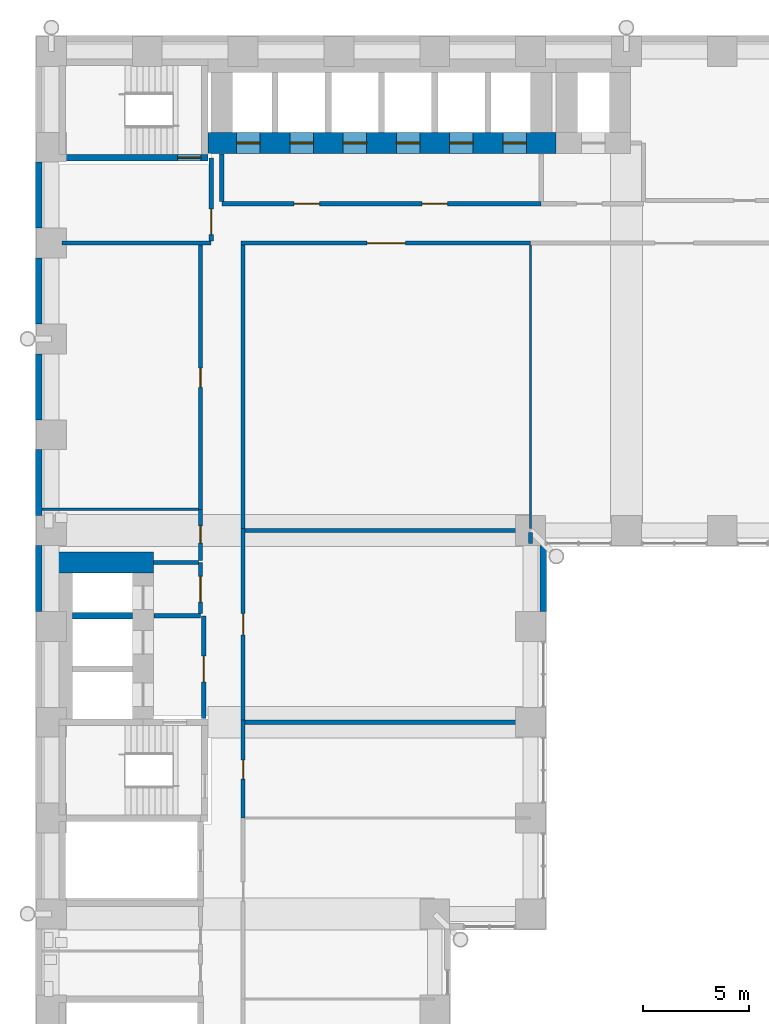
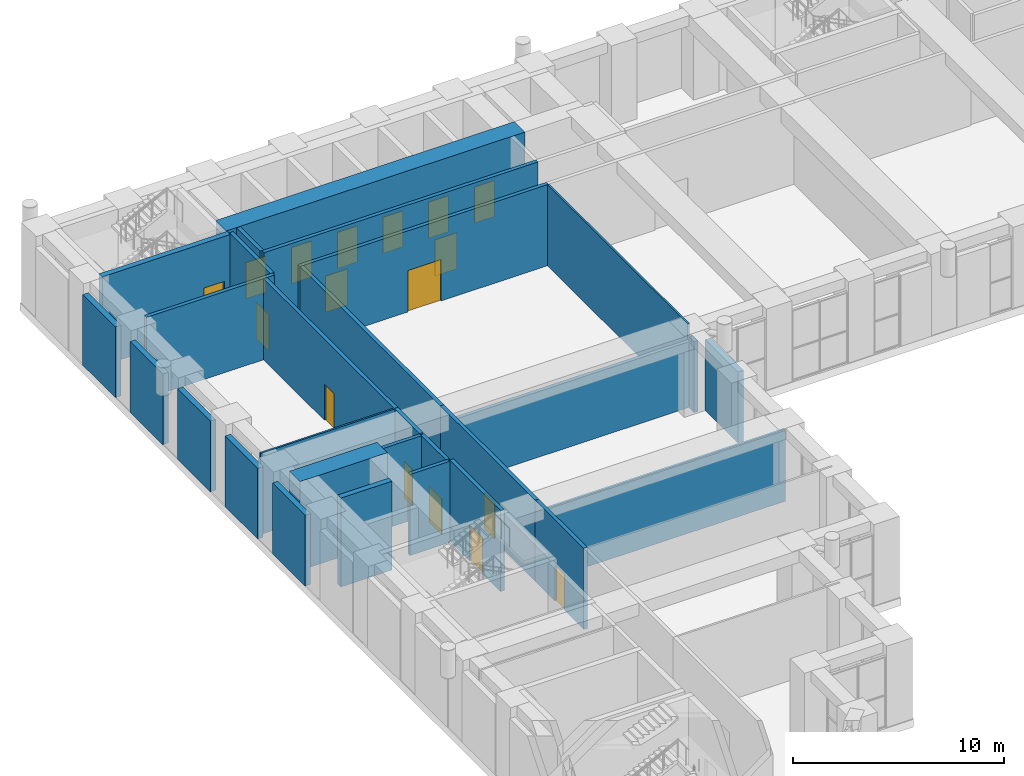
# One storey, part 19 of 35: 29 walls, 17 doors, 17 openings.
"""IFC4 building model written with IfcOpenShell, lengths in metres."""

import ifcopenshell
import ifcopenshell.guid

model = None  # the IFC model being written
_history = None  # IfcOwnerHistory: only IFC2X3 demands one
_inside = {}  # id of a spatial element -> (the spatial element, [elements in it])
_under = {}  # id of a project, library or spatial element -> (it, [spatial elements below it])
_declared = {}  # id of a project -> (the project, [libraries it declares])
_typed = {}  # id of a type object -> (the type object, [elements of that type])
_made_of = {}  # id of a material, layer set ... -> (it, [elements and type objects made of it])


def new_model(schema):
    """Start an empty IFC model of exactly this schema.

    Asked for "IFC4X3", IfcOpenShell would pick the latest addendum, in which some entities
    have other attributes; the version numbers below select the first issue.
    IFC2X3 requires an IfcOwnerHistory on every rooted entity: one is made here for all.
    """
    global model, _history
    if schema == "IFC4X3":
        model = ifcopenshell.file(schema_version=(4, 3, 0, 0))
    else:
        model = ifcopenshell.file(schema=schema)
    _inside.clear()
    _under.clear()
    _declared.clear()
    _typed.clear()
    _made_of.clear()
    _history = None
    if model.schema == "IFC2X3":
        org = make("IfcOrganization", Name="unknown")
        user = make(
            "IfcPersonAndOrganization",
            ThePerson=make("IfcPerson", FamilyName="unknown"),
            TheOrganization=org,
        )
        app = make(
            "IfcApplication",
            ApplicationDeveloper=org,
            Version="unknown",
            ApplicationFullName="unknown",
            ApplicationIdentifier="unknown",
        )
        _history = make(
            "IfcOwnerHistory",
            OwningUser=user,
            OwningApplication=app,
            ChangeAction="ADDED",
            CreationDate=0,
        )
    return model


def make(cls, **values):
    """One entity of the class cls with the attributes given. An attribute that is None is left unset."""
    return model.create_entity(
        cls, **{name: value for name, value in values.items() if value is not None}
    )


def rooted(cls, **values):
    """An entity with a GlobalId (a new one), such as an element, a storey or a relation."""
    return make(cls, GlobalId=ifcopenshell.guid.new(), OwnerHistory=_history, **values)


def si_unit(unit_type, name, prefix=None):
    """IfcSIUnit, for example si_unit("LENGTHUNIT", "METRE", prefix="MILLI")."""
    return make("IfcSIUnit", UnitType=unit_type, Prefix=prefix, Name=name)


def assignment(units):
    """IfcUnitAssignment: the units of a project."""
    return None if units is None else make("IfcUnitAssignment", Units=units)


def point(xyz):
    """IfcCartesianPoint."""
    return None if xyz is None else make("IfcCartesianPoint", Coordinates=xyz)


def direction(xyz):
    """IfcDirection."""
    return None if xyz is None else make("IfcDirection", DirectionRatios=xyz)


def frame(location, z_axis=None, x_axis=None):
    """IfcAxis2Placement3D, a coordinate frame: its origin and axes. An axis left out is left unset."""
    return make(
        "IfcAxis2Placement3D",
        Location=point(location),
        Axis=direction(z_axis),
        RefDirection=direction(x_axis),
    )


def frame_2d(location, x_axis=None):
    """IfcAxis2Placement2D, a coordinate frame in the plane: its origin and x axis."""
    return make(
        "IfcAxis2Placement2D", Location=point(location), RefDirection=direction(x_axis)
    )


def origin():
    """The frame at (0, 0, 0) with its axes left unset."""
    return frame((0.0, 0.0, 0.0))


def place(relative_to, where):
    """IfcLocalPlacement: puts the frame where relative to a parent placement (None: the world)."""
    return make(
        "IfcLocalPlacement", PlacementRelTo=relative_to, RelativePlacement=where
    )


def context(
    kind, dimensions, precision=None, world=None, true_north=None, identifier=None
):
    """IfcGeometricRepresentationContext, for example the 3D "Model" context."""
    return make(
        "IfcGeometricRepresentationContext",
        ContextIdentifier=identifier,
        ContextType=kind,
        CoordinateSpaceDimension=dimensions,
        Precision=precision,
        WorldCoordinateSystem=world,
        TrueNorth=true_north,
    )


def subcontext(parent, identifier, kind, view, scale=None):
    """IfcGeometricRepresentationSubContext, for example "Body" below "Model"."""
    return make(
        "IfcGeometricRepresentationSubContext",
        ContextIdentifier=identifier,
        ContextType=kind,
        ParentContext=parent,
        TargetScale=scale,
        TargetView=view,
    )


def project(units=None, contexts=None):
    """IfcProject with its units and contexts."""
    return rooted(
        "IfcProject",
        Name="project",
        RepresentationContexts=contexts,
        UnitsInContext=assignment(units),
    )


def spatial(cls, under=None, at=None, **own):
    """A site, building, storey or space (cls), placed at a placement, below another one or the project."""
    s = rooted(cls, ObjectPlacement=at, **own)
    if under is not None:
        _under.setdefault(under.id(), (under, []))[1].append(s)
    return s


def profile(cls, at=None, kind="AREA", **sizes):
    """A parametric profile (cls). Its sizes go by their IFC names, for example OverallWidth=200.0."""
    return make(cls, ProfileType=kind, Position=at, **sizes)


def rectangle(**sizes):
    """IfcRectangleProfileDef."""
    return profile("IfcRectangleProfileDef", **sizes)


def extrude(swept, where, along, depth):
    """IfcExtrudedAreaSolid: the profile swept, set in the frame where, extruded along a direction by depth."""
    return make(
        "IfcExtrudedAreaSolid",
        SweptArea=swept,
        Position=where,
        ExtrudedDirection=direction(along),
        Depth=depth,
    )


def shape(context_of_items, identifier, shape_type, items):
    """IfcShapeRepresentation: the items that make up one representation, for example the "Body"."""
    return make(
        "IfcShapeRepresentation",
        ContextOfItems=context_of_items,
        RepresentationIdentifier=identifier,
        RepresentationType=shape_type,
        Items=items,
    )


def material(Name=None, Category=None):
    """IfcMaterial."""
    return make("IfcMaterial", Name=Name, Category=Category)


def layer(
    of_material, thickness, ventilated=None, Name=None, Category=None, Priority=None
):
    """IfcMaterialLayer: one layer of a wall or slab, of a material (None: an air gap)."""
    return make(
        "IfcMaterialLayer",
        Material=of_material,
        LayerThickness=thickness,
        IsVentilated=ventilated,
        Name=Name,
        Category=Category,
        Priority=Priority,
    )


def layer_set(layers, Name=None):
    """IfcMaterialLayerSet."""
    return make("IfcMaterialLayerSet", MaterialLayers=layers, LayerSetName=Name)


def made_of(thing, what):
    """Note that an element or type object is made of a material, layer set ...; save() writes the relation."""
    if what is not None:
        _made_of.setdefault(what.id(), (what, []))[1].append(thing)
    return thing


def type_object(cls, material=None, **own):
    """A type object (cls), such as IfcWallType, which elements share."""
    return made_of(rooted(cls, **own), material)


def element(
    cls,
    number,
    at=None,
    inside=None,
    cuts=None,
    type_object=None,
    material=None,
    context=None,
    identifier="Body",
    shape_type=None,
    held_by="IfcProductDefinitionShape",
    body=None,
    shapes=None,
    **own,
):
    """One element of the class cls, such as IfcWall. Its Tag is "e" and its number.

    at: its placement. inside: the storey or other place that contains it. cuts: it is an
    opening in that element (IfcRelVoidsElement). A single representation is given by context,
    identifier, shape_type and body (its items); several are given by shapes. held_by: the class
    of the entity that holds the representations. save() writes the other relations.
    """
    e = rooted(cls, Tag="e%d" % number, ObjectPlacement=at, **own)
    if body is not None:
        shapes = [shape(context, identifier, shape_type, body)]
    if shapes is not None:
        e.Representation = make(held_by, Representations=shapes)
    if inside is not None:
        _inside.setdefault(inside.id(), (inside, []))[1].append(e)
    if cuts is not None:
        rooted(
            "IfcRelVoidsElement", RelatingBuildingElement=cuts, RelatedOpeningElement=e
        )
    if type_object is not None:
        _typed.setdefault(type_object.id(), (type_object, []))[1].append(e)
    return made_of(e, material)


def fill(opening, filler):
    """IfcRelFillsElement: the door or window that sits in an opening."""
    return rooted(
        "IfcRelFillsElement",
        RelatingOpeningElement=opening,
        RelatedBuildingElement=filler,
    )


def aggregate(whole, parts):
    """IfcRelAggregates: a whole, such as a stair, and the parts it consists of."""
    return rooted("IfcRelAggregates", RelatingObject=whole, RelatedObjects=parts)


def save(model, path):
    """Write the relations noted so far, then the file.

    IfcRelAggregates (storeys below a building ...), IfcRelContainedInSpatialStructure (elements
    in a storey), IfcRelDefinesByType, IfcRelAssociatesMaterial and IfcRelDeclares: one each for
    every whole, place, type object, material and project.
    """
    for whole, parts in _under.values():
        aggregate(whole, parts)
    for where, things in _inside.values():
        rooted(
            "IfcRelContainedInSpatialStructure",
            RelatedElements=things,
            RelatingStructure=where,
        )
    for kind, things in _typed.values():
        rooted("IfcRelDefinesByType", RelatedObjects=things, RelatingType=kind)
    for what, things in _made_of.values():
        rooted("IfcRelAssociatesMaterial", RelatedObjects=things, RelatingMaterial=what)
    for by, libraries in _declared.values():
        rooted("IfcRelDeclares", RelatingContext=by, RelatedDefinitions=libraries)
    model.write(path)


model = new_model("IFC4")

# Units and contexts
model_context = context("Model", 3, precision=1e-05, world=origin(), true_north=direction((0.0, 1.0)))
body_context = subcontext(model_context, "Body", "Model", "MODEL_VIEW")
ifc_project = project(units=[si_unit("LENGTHUNIT", "METRE"), si_unit("AREAUNIT", "SQUARE_METRE"), si_unit("VOLUMEUNIT", "CUBIC_METRE"), si_unit("PLANEANGLEUNIT", "RADIAN"), si_unit("MASSUNIT", "GRAM", prefix="KILO")], contexts=[model_context])

# Site, building, storey
site_placement = place(None, origin())
site = spatial("IfcSite", under=ifc_project, at=site_placement, CompositionType="ELEMENT")
building_placement = place(site_placement, origin())
building = spatial("IfcBuilding", under=site, at=building_placement, Name="Firuza Court", CompositionType="ELEMENT")
storey_placement = place(building_placement, frame((0.0, 0.0, 24.0)))
storey = spatial("IfcBuildingStorey", under=building, at=storey_placement, Name="L04", CompositionType="ELEMENT", Elevation=24.0)

# Wall
ifc_material_1 = material(Name="Concrete C60/75", Category="concrete")
ifc_layer_1 = layer(ifc_material_1, 1.0)
ifc_layer_set_1 = layer_set([ifc_layer_1], Name="Concrete C60/75")
wall_type_1 = type_object("IfcWallType", Name="Core wall 1000 C60/75", PredefinedType="SHEAR", material=ifc_layer_set_1)
wall_1_placement = place(storey_placement, frame((0.0, 34.5, -0.449951171875), z_axis=(0.0, 0.0, 1.0), x_axis=(1.0, 0.0, 0.0)))
element("IfcWall", 1, at=wall_1_placement, inside=storey, type_object=wall_type_1, Name="Core wall lift shaft L04", PredefinedType="SHEAR", context=body_context, shape_type="SweptSolid", body=[
    extrude(rectangle(XDim=4.800048828125, YDim=1.0, at=frame_2d((2.39990234375, 0.0))), origin(), (0.0, 0.0, 1.0), 5.14990234375),
])

# Wall, openings, doors
wall_2_placement = place(storey_placement, frame((7.35009765625, 54.199951171875, -0.449951171875), z_axis=(0.0, 0.0, 1.0), x_axis=(1.0, 0.0, 0.0)))
wall_2 = element("IfcWall", 2, at=wall_2_placement, inside=storey, type_object=wall_type_1, Name="Core wall lift shaft L04", PredefinedType="SHEAR", context=body_context, shape_type="SweptSolid", body=[
    extrude(rectangle(XDim=16.349853515625, YDim=1.0, at=frame_2d((8.1748046875, 0.0))), origin(), (0.0, 0.0, 1.0), 5.14990234375),
])
opening_1_placement = place(wall_2_placement, frame((1.35009765625, 0.0, 0.449951171875)))
opening_1 = element("IfcOpeningElement", 3, at=opening_1_placement, cuts=wall_2, Name="Opening LD-LB1-04", PredefinedType="OPENING", context=body_context, shape_type="SweptSolid", body=[
    extrude(rectangle(XDim=1.10009765625, YDim=2.10009765625, at=frame_2d((0.550048828125, 1.050048828125))), frame((0.0, 0.511962890625, 0.0), z_axis=(0.0, -1.0, 0.0), x_axis=(1.0, 0.0, 0.0)), (0.0, 0.0, 1.0), 1.02392578125),
])
opening_2_placement = place(wall_2_placement, frame((3.85009765625, 0.0, 0.449951171875)))
opening_2 = element("IfcOpeningElement", 4, at=opening_2_placement, cuts=wall_2, Name="Opening LD-LB2-04", PredefinedType="OPENING", context=body_context, shape_type="SweptSolid", body=[
    extrude(rectangle(XDim=1.10009765625, YDim=2.10009765625, at=frame_2d((0.550048828125, 1.050048828125))), frame((0.0, 0.511962890625, 0.0), z_axis=(0.0, -1.0, 0.0), x_axis=(1.0, 0.0, 0.0)), (0.0, 0.0, 1.0), 1.02392578125),
])
opening_3_placement = place(wall_2_placement, frame((6.35009765625, 0.0, 0.449951171875)))
opening_3 = element("IfcOpeningElement", 5, at=opening_3_placement, cuts=wall_2, Name="Opening LD-LB3-04", PredefinedType="OPENING", context=body_context, shape_type="SweptSolid", body=[
    extrude(rectangle(XDim=1.10009765625, YDim=2.10009765625, at=frame_2d((0.550048828125, 1.050048828125))), frame((0.0, 0.511962890625, 0.0), z_axis=(0.0, -1.0, 0.0), x_axis=(1.0, 0.0, 0.0)), (0.0, 0.0, 1.0), 1.02392578125),
])
opening_4_placement = place(wall_2_placement, frame((8.85009765625, 0.0, 0.449951171875)))
opening_4 = element("IfcOpeningElement", 6, at=opening_4_placement, cuts=wall_2, Name="Opening LD-LB4-04", PredefinedType="OPENING", context=body_context, shape_type="SweptSolid", body=[
    extrude(rectangle(XDim=1.10009765625, YDim=2.10009765625, at=frame_2d((0.550048828125, 1.050048828125))), frame((0.0, 0.511962890625, 0.0), z_axis=(0.0, -1.0, 0.0), x_axis=(1.0, 0.0, 0.0)), (0.0, 0.0, 1.0), 1.02392578125),
])
opening_5_placement = place(wall_2_placement, frame((11.35009765625, 0.0, 0.449951171875)))
opening_5 = element("IfcOpeningElement", 7, at=opening_5_placement, cuts=wall_2, Name="Opening LD-LB5-04", PredefinedType="OPENING", context=body_context, shape_type="SweptSolid", body=[
    extrude(rectangle(XDim=1.10009765625, YDim=2.10009765625, at=frame_2d((0.550048828125, 1.050048828125))), frame((0.0, 0.511962890625, 0.0), z_axis=(0.0, -1.0, 0.0), x_axis=(1.0, 0.0, 0.0)), (0.0, 0.0, 1.0), 1.02392578125),
])
opening_6_placement = place(wall_2_placement, frame((13.85009765625, 0.0, 0.449951171875)))
opening_6 = element("IfcOpeningElement", 8, at=opening_6_placement, cuts=wall_2, Name="Opening LD-LB6-04", PredefinedType="OPENING", context=body_context, shape_type="SweptSolid", body=[
    extrude(rectangle(XDim=1.10009765625, YDim=2.10009765625, at=frame_2d((0.550048828125, 1.050048828125))), frame((0.0, 0.511962890625, 0.0), z_axis=(0.0, -1.0, 0.0), x_axis=(1.0, 0.0, 0.0)), (0.0, 0.0, 1.0), 1.02392578125),
])
ifc_material_2 = material(Name="Stainless steel 1.4301 door leaf", Category="steel")
door_type_1 = type_object("IfcDoorType", Name="Lift landing door 1100", OperationType="SLIDING_TO_LEFT", PredefinedType="DOOR", material=ifc_material_2)
door_1_placement = place(opening_1_placement, origin())
door_1 = element("IfcDoor", 9, at=door_1_placement, inside=storey, type_object=door_type_1, Name="Landing door LB1", OperationType="SLIDING_TO_LEFT", OverallHeight=2.10009765625, OverallWidth=1.10009765625, PredefinedType="DOOR", context=body_context, shape_type="SweptSolid", body=[
    extrude(rectangle(XDim=1.10009765625, YDim=2.10009765625, at=frame_2d((0.550048828125, 1.050048828125))), frame((0.0, 0.02490234375, 0.0), z_axis=(0.0, -1.0, 0.0), x_axis=(1.0, 0.0, 0.0)), (0.0, 0.0, 1.0), 0.050048828125),
])
fill(opening_1, door_1)
door_2_placement = place(opening_2_placement, origin())
door_2 = element("IfcDoor", 10, at=door_2_placement, inside=storey, type_object=door_type_1, Name="Landing door LB2", OperationType="SLIDING_TO_LEFT", OverallHeight=2.10009765625, OverallWidth=1.10009765625, PredefinedType="DOOR", context=body_context, shape_type="SweptSolid", body=[
    extrude(rectangle(XDim=1.10009765625, YDim=2.10009765625, at=frame_2d((0.550048828125, 1.050048828125))), frame((0.0, 0.02490234375, 0.0), z_axis=(0.0, -1.0, 0.0), x_axis=(1.0, 0.0, 0.0)), (0.0, 0.0, 1.0), 0.050048828125),
])
fill(opening_2, door_2)
door_3_placement = place(opening_3_placement, origin())
door_3 = element("IfcDoor", 11, at=door_3_placement, inside=storey, type_object=door_type_1, Name="Landing door LB3", OperationType="SLIDING_TO_LEFT", OverallHeight=2.10009765625, OverallWidth=1.10009765625, PredefinedType="DOOR", context=body_context, shape_type="SweptSolid", body=[
    extrude(rectangle(XDim=1.10009765625, YDim=2.10009765625, at=frame_2d((0.550048828125, 1.050048828125))), frame((0.0, 0.02490234375, 0.0), z_axis=(0.0, -1.0, 0.0), x_axis=(1.0, 0.0, 0.0)), (0.0, 0.0, 1.0), 0.050048828125),
])
fill(opening_3, door_3)
door_4_placement = place(opening_4_placement, origin())
door_4 = element("IfcDoor", 12, at=door_4_placement, inside=storey, type_object=door_type_1, Name="Landing door LB4", OperationType="SLIDING_TO_LEFT", OverallHeight=2.10009765625, OverallWidth=1.10009765625, PredefinedType="DOOR", context=body_context, shape_type="SweptSolid", body=[
    extrude(rectangle(XDim=1.10009765625, YDim=2.10009765625, at=frame_2d((0.550048828125, 1.050048828125))), frame((0.0, 0.02490234375, 0.0), z_axis=(0.0, -1.0, 0.0), x_axis=(1.0, 0.0, 0.0)), (0.0, 0.0, 1.0), 0.050048828125),
])
fill(opening_4, door_4)
door_5_placement = place(opening_5_placement, origin())
door_5 = element("IfcDoor", 13, at=door_5_placement, inside=storey, type_object=door_type_1, Name="Landing door LB5", OperationType="SLIDING_TO_LEFT", OverallHeight=2.10009765625, OverallWidth=1.10009765625, PredefinedType="DOOR", context=body_context, shape_type="SweptSolid", body=[
    extrude(rectangle(XDim=1.10009765625, YDim=2.10009765625, at=frame_2d((0.550048828125, 1.050048828125))), frame((0.0, 0.02490234375, 0.0), z_axis=(0.0, -1.0, 0.0), x_axis=(1.0, 0.0, 0.0)), (0.0, 0.0, 1.0), 0.050048828125),
])
fill(opening_5, door_5)
door_6_placement = place(opening_6_placement, origin())
door_6 = element("IfcDoor", 14, at=door_6_placement, inside=storey, type_object=door_type_1, Name="Landing door LB6", OperationType="SLIDING_TO_LEFT", OverallHeight=2.10009765625, OverallWidth=1.10009765625, PredefinedType="DOOR", context=body_context, shape_type="SweptSolid", body=[
    extrude(rectangle(XDim=1.10009765625, YDim=2.10009765625, at=frame_2d((0.550048828125, 1.050048828125))), frame((0.0, 0.02490234375, 0.0), z_axis=(0.0, -1.0, 0.0), x_axis=(1.0, 0.0, 0.0)), (0.0, 0.0, 1.0), 0.050048828125),
])
fill(opening_6, door_6)

# Wall, opening, door
ifc_layer_2 = layer(ifc_material_1, 0.300048828125)
ifc_layer_set_2 = layer_set([ifc_layer_2], Name="Concrete C60/75")
wall_type_2 = type_object("IfcWallType", Name="Core wall 300 C60/75", PredefinedType="SHEAR", material=ifc_layer_set_2)
wall_3_placement = place(storey_placement, frame((0.35009765625, 53.5, -0.449951171875), z_axis=(0.0, 0.0, 1.0), x_axis=(1.0, 0.0, 0.0)))
wall_3 = element("IfcWall", 15, at=wall_3_placement, inside=storey, type_object=wall_type_2, Name="Core wall stair L04", PredefinedType="SHEAR", context=body_context, shape_type="SweptSolid", body=[
    extrude(rectangle(XDim=7.0, YDim=0.300048828125, at=frame_2d((3.5, 0.0))), origin(), (0.0, 0.0, 1.0), 5.14990234375),
])
opening_7_placement = place(wall_3_placement, frame((5.580078125, 0.0, 0.449951171875)))
opening_7 = element("IfcOpeningElement", 16, at=opening_7_placement, cuts=wall_3, Name="Opening D04016", PredefinedType="OPENING", context=body_context, shape_type="SweptSolid", body=[
    extrude(rectangle(XDim=1.10009765625, YDim=2.10009765625, at=frame_2d((0.550048828125, 1.050048828125))), frame((0.0, 0.162109375, 0.0), z_axis=(0.0, -1.0, 0.0), x_axis=(1.0, 0.0, 0.0)), (0.0, 0.0, 1.0), 0.323974609375),
])
ifc_material_3 = material(Name="Timber door leaf in hardwood frame", Category="wood")
door_type_2 = type_object("IfcDoorType", Name="Stair door 1100", OperationType="SINGLE_SWING_LEFT", PredefinedType="DOOR", material=ifc_material_3)
door_7_placement = place(opening_7_placement, origin())
door_7 = element("IfcDoor", 17, at=door_7_placement, inside=storey, type_object=door_type_2, Name="Stair door S3", OperationType="SINGLE_SWING_RIGHT", OverallHeight=2.10009765625, OverallWidth=1.10009765625, PredefinedType="DOOR", context=body_context, shape_type="SweptSolid", body=[
    extrude(rectangle(XDim=1.10009765625, YDim=2.10009765625, at=frame_2d((0.550048828125, 1.050048828125))), frame((0.0, 0.02490234375, 0.0), z_axis=(0.0, -1.0, 0.0), x_axis=(1.0, 0.0, 0.0)), (0.0, 0.0, 1.0), 0.050048828125),
])
fill(opening_7, door_7)

# Wall
wall_4_placement = place(storey_placement, frame((1.0, 32.0, -0.449951171875), z_axis=(0.0, 0.0, 1.0), x_axis=(1.0, 0.0, 0.0)))
element("IfcWall", 18, at=wall_4_placement, inside=storey, type_object=wall_type_2, Name="Core wall lift shaft L04", PredefinedType="SHEAR", context=body_context, shape_type="SweptSolid", body=[
    extrude(rectangle(XDim=2.800048828125, YDim=0.300048828125, at=frame_2d((1.39990234375, 0.0))), origin(), (0.0, 0.0, 1.0), 5.14990234375),
])

# Wall, opening, door
ifc_material_4 = material(Name="Blockwork, plastered both sides", Category="masonry")
ifc_layer_3 = layer(ifc_material_4, 0.199951171875)
ifc_layer_set_3 = layer_set([ifc_layer_3], Name="Blockwork, plastered both sides")
wall_type_3 = type_object("IfcWallType", Name="Corridor wall 200", PredefinedType="PARTITIONING", material=ifc_layer_set_3)
wall_5_placement = place(storey_placement, frame((9.0, 22.5, 0.0), z_axis=(0.0, 0.0, 1.0), x_axis=(0.0, 1.0, 0.0)))
wall_5 = element("IfcWall", 19, at=wall_5_placement, inside=storey, type_object=wall_type_3, Name="Corridor wall 200 L04", PredefinedType="PARTITIONING", context=body_context, shape_type="SweptSolid", body=[
    extrude(rectangle(XDim=4.60009765625, YDim=0.199951171875, at=frame_2d((2.300048828125, 0.0))), origin(), (0.0, 0.0, 1.0), 4.699951171875),
])
opening_8_placement = place(wall_5_placement, frame((1.824951171875, 0.0, 0.0)))
opening_8 = element("IfcOpeningElement", 20, at=opening_8_placement, cuts=wall_5, Name="Opening D04024", PredefinedType="OPENING", context=body_context, shape_type="SweptSolid", body=[
    extrude(rectangle(XDim=0.89990234375, YDim=2.10009765625, at=frame_2d((0.449951171875, 1.050048828125))), frame((0.0, 0.11181640625, 0.0), z_axis=(0.0, -1.0, 0.0), x_axis=(1.0, 0.0, 0.0)), (0.0, 0.0, 1.0), 0.223876953125),
])
ifc_material_5 = material(Name="Timber door leaf in hardwood frame", Category="wood")
door_type_3 = type_object("IfcDoorType", Name="Room door 900 EI 30", OperationType="SINGLE_SWING_LEFT", PredefinedType="DOOR", material=ifc_material_5)
door_8_placement = place(opening_8_placement, frame((0.89990234375, 0.0, 0.0), z_axis=(0.0, 0.0, 1.0), x_axis=(-1.0, 0.0, 0.0)))
door_8 = element("IfcDoor", 21, at=door_8_placement, inside=storey, type_object=door_type_3, Name="Room door", OperationType="SINGLE_SWING_LEFT", OverallHeight=2.10009765625, OverallWidth=0.89990234375, PredefinedType="DOOR", context=body_context, shape_type="SweptSolid", body=[
    extrude(rectangle(XDim=0.89990234375, YDim=2.10009765625, at=frame_2d((0.449951171875, 1.050048828125))), frame((0.0, 0.02490234375, 0.0), z_axis=(0.0, -1.0, 0.0), x_axis=(1.0, 0.0, 0.0)), (0.0, 0.0, 1.0), 0.050048828125),
])
fill(opening_8, door_8)

# Wall
wall_6_placement = place(storey_placement, frame((9.0, 36.10009765625, 0.0), z_axis=(0.0, 0.0, 1.0), x_axis=(0.0, 1.0, 0.0)))
element("IfcWall", 22, at=wall_6_placement, inside=storey, type_object=wall_type_3, Name="Corridor wall 200 L04", PredefinedType="PARTITIONING", context=body_context, shape_type="SweptSolid", body=[
    extrude(rectangle(XDim=13.2998046875, YDim=0.199951171875, at=frame_2d((6.64990234375, 0.0))), origin(), (0.0, 0.0, 1.0), 4.699951171875),
])

# Wall, opening, door
wall_7_placement = place(storey_placement, frame((7.0, 37.0, 0.0), z_axis=(0.0, 0.0, 1.0), x_axis=(0.0, -1.0, 0.0)))
wall_7 = element("IfcWall", 23, at=wall_7_placement, inside=storey, type_object=wall_type_3, Name="Corridor wall 200 L04", PredefinedType="PARTITIONING", context=body_context, shape_type="SweptSolid", body=[
    extrude(rectangle(XDim=2.39990234375, YDim=0.199951171875, at=frame_2d((1.199951171875, 0.0))), origin(), (0.0, 0.0, 1.0), 4.699951171875),
])
opening_9_placement = place(wall_7_placement, frame((0.77490234375, 0.0, 0.0)))
opening_9 = element("IfcOpeningElement", 24, at=opening_9_placement, cuts=wall_7, Name="Opening D04026", PredefinedType="OPENING", context=body_context, shape_type="SweptSolid", body=[
    extrude(rectangle(XDim=0.800048828125, YDim=2.10009765625, at=frame_2d((0.39990234375, 1.050048828125))), frame((0.0, 0.11181640625, 0.0), z_axis=(0.0, -1.0, 0.0), x_axis=(1.0, 0.0, 0.0)), (0.0, 0.0, 1.0), 0.223876953125),
])
ifc_material_6 = material(Name="Timber door leaf in hardwood frame", Category="wood")
door_type_4 = type_object("IfcDoorType", Name="Room door 800 EI 30", OperationType="SINGLE_SWING_LEFT", PredefinedType="DOOR", material=ifc_material_6)
door_9_placement = place(opening_9_placement, frame((0.800048828125, 0.0, 0.0), z_axis=(0.0, 0.0, 1.0), x_axis=(-1.0, 0.0, 0.0)))
door_9 = element("IfcDoor", 25, at=door_9_placement, inside=storey, type_object=door_type_4, Name="Room door", OperationType="SINGLE_SWING_RIGHT", OverallHeight=2.10009765625, OverallWidth=0.800048828125, PredefinedType="DOOR", context=body_context, shape_type="SweptSolid", body=[
    extrude(rectangle(XDim=0.800048828125, YDim=2.10009765625, at=frame_2d((0.39990234375, 1.050048828125))), frame((0.0, 0.02490234375, 0.0), z_axis=(0.0, -1.0, 0.0), x_axis=(1.0, 0.0, 0.0)), (0.0, 0.0, 1.0), 0.050048828125),
])
fill(opening_9, door_9)

wall_8_placement = place(storey_placement, frame((7.0, 49.39990234375, 0.0), z_axis=(0.0, 0.0, 1.0), x_axis=(0.0, -1.0, 0.0)))
wall_8 = element("IfcWall", 26, at=wall_8_placement, inside=storey, type_object=wall_type_3, Name="Corridor wall 200 L04", PredefinedType="PARTITIONING", context=body_context, shape_type="SweptSolid", body=[
    extrude(rectangle(XDim=12.39990234375, YDim=0.199951171875, at=frame_2d((6.199951171875, 0.0))), origin(), (0.0, 0.0, 1.0), 4.699951171875),
])
opening_10_placement = place(wall_8_placement, frame((5.77490234375, 0.0, 0.0)))
opening_10 = element("IfcOpeningElement", 27, at=opening_10_placement, cuts=wall_8, Name="Opening D04027", PredefinedType="OPENING", context=body_context, shape_type="SweptSolid", body=[
    extrude(rectangle(XDim=0.89990234375, YDim=2.10009765625, at=frame_2d((0.449951171875, 1.050048828125))), frame((0.0, 0.11181640625, 0.0), z_axis=(0.0, -1.0, 0.0), x_axis=(1.0, 0.0, 0.0)), (0.0, 0.0, 1.0), 0.223876953125),
])
door_10_placement = place(opening_10_placement, frame((0.89990234375, 0.0, 0.0), z_axis=(0.0, 0.0, 1.0), x_axis=(-1.0, 0.0, 0.0)))
door_10 = element("IfcDoor", 28, at=door_10_placement, inside=storey, type_object=door_type_3, Name="Room door", OperationType="SINGLE_SWING_LEFT", OverallHeight=2.10009765625, OverallWidth=0.89990234375, PredefinedType="DOOR", context=body_context, shape_type="SweptSolid", body=[
    extrude(rectangle(XDim=0.89990234375, YDim=2.10009765625, at=frame_2d((0.449951171875, 1.050048828125))), frame((0.0, 0.02490234375, 0.0), z_axis=(0.0, -1.0, 0.0), x_axis=(1.0, 0.0, 0.0)), (0.0, 0.0, 1.0), 0.050048828125),
])
fill(opening_10, door_10)

wall_9_placement = place(storey_placement, frame((8.89990234375, 49.5, 0.0), z_axis=(0.0, 0.0, 1.0), x_axis=(1.0, 0.0, 0.0)))
wall_9 = element("IfcWall", 29, at=wall_9_placement, inside=storey, type_object=wall_type_3, Name="Corridor wall 200 L04", PredefinedType="PARTITIONING", context=body_context, shape_type="SweptSolid", body=[
    extrude(rectangle(XDim=13.60009765625, YDim=0.199951171875, at=frame_2d((6.800048828125, 0.0))), origin(), (0.0, 0.0, 1.0), 4.699951171875),
])
opening_11_placement = place(wall_9_placement, frame((5.925048828125, 0.0, 0.0)))
opening_11 = element("IfcOpeningElement", 30, at=opening_11_placement, cuts=wall_9, Name="Opening D04028", PredefinedType="OPENING", context=body_context, shape_type="SweptSolid", body=[
    extrude(rectangle(XDim=1.800048828125, YDim=2.39990234375, at=frame_2d((0.89990234375, 1.199951171875))), frame((0.0, 0.11181640625, 0.0), z_axis=(0.0, -1.0, 0.0), x_axis=(1.0, 0.0, 0.0)), (0.0, 0.0, 1.0), 0.223876953125),
])
ifc_material_7 = material(Name="Timber door leaf in hardwood frame", Category="wood")
door_type_5 = type_object("IfcDoorType", Name="Double door 1800 EI 30", OperationType="DOUBLE_DOOR_SINGLE_SWING", PredefinedType="DOOR", material=ifc_material_7)
door_11_placement = place(opening_11_placement, origin())
door_11 = element("IfcDoor", 31, at=door_11_placement, inside=storey, type_object=door_type_5, Name="Double door", OperationType="DOUBLE_DOOR_SINGLE_SWING", OverallHeight=2.39990234375, OverallWidth=1.800048828125, PredefinedType="DOOR", context=body_context, shape_type="SweptSolid", body=[
    extrude(rectangle(XDim=1.800048828125, YDim=2.39990234375, at=frame_2d((0.89990234375, 1.199951171875))), frame((0.0, 0.02490234375, 0.0), z_axis=(0.0, -1.0, 0.0), x_axis=(1.0, 0.0, 0.0)), (0.0, 0.0, 1.0), 0.050048828125),
])
fill(opening_11, door_11)

# Walls
ifc_material_8 = material(Name="Timber stud partition, plasterboard both sides", Category="wood")
ifc_layer_4 = layer(ifc_material_8, 0.10009765625)
ifc_layer_set_4 = layer_set([ifc_layer_4], Name="Timber stud partition, plasterboard both sides")
wall_type_4 = type_object("IfcWallType", Name="Partition wall 100", PredefinedType="PARTITIONING", material=ifc_layer_set_4)
wall_10_placement = place(storey_placement, frame((22.5, 36.10009765625, 0.0), z_axis=(0.0, 0.0, 1.0), x_axis=(0.0, 1.0, 0.0)))
element("IfcWall", 32, at=wall_10_placement, inside=storey, type_object=wall_type_4, Name="Partition wall 100 L04", PredefinedType="PARTITIONING", context=body_context, shape_type="SweptSolid", body=[
    extrude(rectangle(XDim=13.2998046875, YDim=0.10009765625, at=frame_2d((6.64990234375, 0.0))), origin(), (0.0, 0.0, 1.0), 4.699951171875),
])
wall_11_placement = place(storey_placement, frame((-0.449951171875, 37.0, 0.0), z_axis=(0.0, 0.0, 1.0), x_axis=(1.0, 0.0, 0.0)))
element("IfcWall", 33, at=wall_11_placement, inside=storey, type_object=wall_type_4, Name="Partition wall 100 L04", PredefinedType="PARTITIONING", context=body_context, shape_type="SweptSolid", body=[
    extrude(rectangle(XDim=7.349853515625, YDim=0.10009765625, at=frame_2d((3.6748046875, 0.0))), origin(), (0.0, 0.0, 1.0), 4.699951171875),
])

# Wall, opening, door
ifc_material_9 = material(Name="Blockwork, fire-rated", Category="masonry")
ifc_layer_5 = layer(ifc_material_9, 0.199951171875)
ifc_layer_set_5 = layer_set([ifc_layer_5], Name="Blockwork, fire-rated")
wall_type_5 = type_object("IfcWallType", Name="Plant room wall 200", PredefinedType="PARTITIONING", material=ifc_layer_set_5)
wall_12_placement = place(storey_placement, frame((9.0, 27.10009765625, 0.0), z_axis=(0.0, 0.0, 1.0), x_axis=(0.0, 1.0, 0.0)))
wall_12 = element("IfcWall", 34, at=wall_12_placement, inside=storey, type_object=wall_type_5, Name="Plant room wall 200 L04", PredefinedType="PARTITIONING", context=body_context, shape_type="SweptSolid", body=[
    extrude(rectangle(XDim=9.0, YDim=0.199951171875, at=frame_2d((4.5, 0.0))), origin(), (0.0, 0.0, 1.0), 4.699951171875),
])
opening_12_placement = place(wall_12_placement, frame((4.0, 0.0, 0.0)))
opening_12 = element("IfcOpeningElement", 35, at=opening_12_placement, cuts=wall_12, Name="Opening D04025", PredefinedType="OPENING", context=body_context, shape_type="SweptSolid", body=[
    extrude(rectangle(XDim=1.0, YDim=2.10009765625, at=frame_2d((0.5, 1.050048828125))), frame((0.0, 0.11181640625, 0.0), z_axis=(0.0, -1.0, 0.0), x_axis=(1.0, 0.0, 0.0)), (0.0, 0.0, 1.0), 0.223876953125),
])
ifc_material_10 = material(Name="Timber door leaf in hardwood frame", Category="wood")
door_type_6 = type_object("IfcDoorType", Name="Store door 1000", OperationType="SINGLE_SWING_LEFT", PredefinedType="DOOR", material=ifc_material_10)
door_12_placement = place(opening_12_placement, frame((1.0, 0.0, 0.0), z_axis=(0.0, 0.0, 1.0), x_axis=(-1.0, 0.0, 0.0)))
door_12 = element("IfcDoor", 36, at=door_12_placement, inside=storey, type_object=door_type_6, Name="Store door", OperationType="SINGLE_SWING_LEFT", OverallHeight=2.10009765625, OverallWidth=1.0, PredefinedType="DOOR", context=body_context, shape_type="SweptSolid", body=[
    extrude(rectangle(XDim=1.0, YDim=2.10009765625, at=frame_2d((0.5, 1.050048828125))), frame((0.0, 0.02490234375, 0.0), z_axis=(0.0, -1.0, 0.0), x_axis=(1.0, 0.0, 0.0)), (0.0, 0.0, 1.0), 0.050048828125),
])
fill(opening_12, door_12)

# Walls
wall_13_placement = place(storey_placement, frame((22.5, 27.0, 0.0), z_axis=(0.0, 0.0, 1.0), x_axis=(-1.0, 0.0, 0.0)))
element("IfcWall", 37, at=wall_13_placement, inside=storey, type_object=wall_type_5, Name="Plant room wall 200 L04", PredefinedType="PARTITIONING", context=body_context, shape_type="SweptSolid", body=[
    extrude(rectangle(XDim=13.39990234375, YDim=0.199951171875, at=frame_2d((6.699951171875, 0.0))), origin(), (0.0, 0.0, 1.0), 4.10009765625),
])
wall_14_placement = place(storey_placement, frame((22.5, 35.39990234375, 0.0), z_axis=(0.0, 0.0, 1.0), x_axis=(0.0, 1.0, 0.0)))
element("IfcWall", 38, at=wall_14_placement, inside=storey, type_object=wall_type_5, Name="Plant room wall 200 L04", PredefinedType="PARTITIONING", context=body_context, shape_type="SweptSolid", body=[
    extrude(rectangle(XDim=0.5, YDim=0.199951171875, at=frame_2d((0.25, 0.0))), origin(), (0.0, 0.0, 1.0), 4.10009765625),
])
wall_15_placement = place(storey_placement, frame((22.60009765625, 36.0, 0.0), z_axis=(0.0, 0.0, 1.0), x_axis=(-1.0, 0.0, 0.0)))
element("IfcWall", 39, at=wall_15_placement, inside=storey, type_object=wall_type_5, Name="Plant room wall 200 L04", PredefinedType="PARTITIONING", context=body_context, shape_type="SweptSolid", body=[
    extrude(rectangle(XDim=13.5, YDim=0.199951171875, at=frame_2d((6.75, 0.0))), origin(), (0.0, 0.0, 1.0), 3.800048828125),
])
ifc_material_11 = material(Name="Ceramic tile", Category="ceramic")
ifc_layer_6 = layer(ifc_material_11, 0.02001953125)
ifc_material_12 = material(Name="Mineral wool insulation", Category="insulation")
ifc_layer_7 = layer(ifc_material_12, 0.1298828125)
ifc_material_13 = material(Name="Concrete C40/50 precast", Category="concrete")
ifc_layer_8 = layer(ifc_material_13, 0.14990234375)
ifc_layer_set_6 = layer_set([ifc_layer_6, ifc_layer_7, ifc_layer_8], Name="Concrete C40/50 precast")
wall_type_6 = type_object("IfcWallType", Name="Precast spandrel wall with turquoise TILE PANEL face 300", PredefinedType="STANDARD", material=ifc_layer_set_6)
for number, where, z_axis, x_axis, name in (
    (40, (23.10009765625, 32.199951171875, 0.0), (0.0, 0.0, 1.0), (0.0, 1.0, 0.0), "Facade wall L04 E"),
    (41, (-0.60009765625, 53.300048828125, 0.0), (0.0, 0.0, 1.0), (0.0, -1.0, 0.0), "Facade wall L04 W"),
    (42, (-0.60009765625, 48.800048828125, 0.0), (0.0, 0.0, 1.0), (0.0, -1.0, 0.0), "Facade wall L04 W"),
    (43, (-0.60009765625, 44.300048828125, 0.0), (0.0, 0.0, 1.0), (0.0, -1.0, 0.0), "Facade wall L04 W"),
    (44, (-0.60009765625, 39.800048828125, 0.0), (0.0, 0.0, 1.0), (0.0, -1.0, 0.0), "Facade wall L04 W"),
    (45, (-0.60009765625, 35.300048828125, 0.0), (0.0, 0.0, 1.0), (0.0, -1.0, 0.0), "Facade wall L04 W"),
):
    element("IfcWall", number, at=place(storey_placement, frame(where, z_axis=z_axis, x_axis=x_axis)), inside=storey, type_object=wall_type_6, Name=name, PredefinedType="STANDARD", context=body_context, shape_type="SweptSolid", body=[
        extrude(rectangle(XDim=3.10009765625, YDim=0.300048828125, at=frame_2d((1.550048828125, 0.0))), origin(), (0.0, 0.0, 1.0), 4.10009765625),
    ])

# Wall, openings, doors
ifc_layer_9 = layer(ifc_material_9, 0.199951171875)
ifc_layer_set_7 = layer_set([ifc_layer_9], Name="Blockwork, fire-rated")
wall_type_7 = type_object("IfcWallType", Name="Shaft wall 200", PredefinedType="PARTITIONING", material=ifc_layer_set_7)
wall_16_placement = place(storey_placement, frame((8.0, 51.35009765625, 0.0), z_axis=(0.0, 0.0, 1.0), x_axis=(1.0, 0.0, 0.0)))
wall_16 = element("IfcWall", 46, at=wall_16_placement, inside=storey, type_object=wall_type_7, Name="Shaft wall 200 L04", PredefinedType="PARTITIONING", context=body_context, shape_type="SweptSolid", body=[
    extrude(rectangle(XDim=15.0, YDim=0.199951171875, at=frame_2d((7.5, 0.0))), origin(), (0.0, 0.0, 1.0), 4.699951171875),
])
opening_13_placement = place(wall_16_placement, frame((3.39990234375, 0.0, 0.0)))
opening_13 = element("IfcOpeningElement", 47, at=opening_13_placement, cuts=wall_16, Name="Opening D04004", PredefinedType="OPENING", context=body_context, shape_type="SweptSolid", body=[
    extrude(rectangle(XDim=1.199951171875, YDim=2.10009765625, at=frame_2d((0.60009765625, 1.050048828125))), frame((0.0, 0.11181640625, 0.0), z_axis=(0.0, -1.0, 0.0), x_axis=(1.0, 0.0, 0.0)), (0.0, 0.0, 1.0), 0.223876953125),
])
opening_14_placement = place(wall_16_placement, frame((9.39990234375, 0.0, 0.0)))
opening_14 = element("IfcOpeningElement", 48, at=opening_14_placement, cuts=wall_16, Name="Opening D04005", PredefinedType="OPENING", context=body_context, shape_type="SweptSolid", body=[
    extrude(rectangle(XDim=1.199951171875, YDim=2.10009765625, at=frame_2d((0.60009765625, 1.050048828125))), frame((0.0, 0.11181640625, 0.0), z_axis=(0.0, -1.0, 0.0), x_axis=(1.0, 0.0, 0.0)), (0.0, 0.0, 1.0), 0.223876953125),
])
ifc_material_14 = material(Name="Timber door leaf in hardwood frame", Category="wood")
door_type_7 = type_object("IfcDoorType", Name="Lobby door 1200", OperationType="SINGLE_SWING_LEFT", PredefinedType="DOOR", material=ifc_material_14)
door_13_placement = place(opening_13_placement, origin())
door_13 = element("IfcDoor", 49, at=door_13_placement, inside=storey, type_object=door_type_7, Name="Lobby door", OperationType="SINGLE_SWING_LEFT", OverallHeight=2.10009765625, OverallWidth=1.199951171875, PredefinedType="DOOR", context=body_context, shape_type="SweptSolid", body=[
    extrude(rectangle(XDim=1.199951171875, YDim=2.10009765625, at=frame_2d((0.60009765625, 1.050048828125))), frame((0.0, 0.02490234375, 0.0), z_axis=(0.0, -1.0, 0.0), x_axis=(1.0, 0.0, 0.0)), (0.0, 0.0, 1.0), 0.050048828125),
])
fill(opening_13, door_13)
door_14_placement = place(opening_14_placement, origin())
door_14 = element("IfcDoor", 50, at=door_14_placement, inside=storey, type_object=door_type_7, Name="Lobby door", OperationType="SINGLE_SWING_RIGHT", OverallHeight=2.10009765625, OverallWidth=1.199951171875, PredefinedType="DOOR", context=body_context, shape_type="SweptSolid", body=[
    extrude(rectangle(XDim=1.199951171875, YDim=2.10009765625, at=frame_2d((0.60009765625, 1.050048828125))), frame((0.0, 0.02490234375, 0.0), z_axis=(0.0, -1.0, 0.0), x_axis=(1.0, 0.0, 0.0)), (0.0, 0.0, 1.0), 0.050048828125),
])
fill(opening_14, door_14)

# Walls
wall_17_placement = place(storey_placement, frame((8.0, 51.449951171875, 0.0), z_axis=(0.0, 0.0, 1.0), x_axis=(0.0, 1.0, 0.0)))
element("IfcWall", 51, at=wall_17_placement, inside=storey, type_object=wall_type_7, Name="Shaft wall 200 L04", PredefinedType="PARTITIONING", context=body_context, shape_type="SweptSolid", body=[
    extrude(rectangle(XDim=2.22998046875, YDim=0.199951171875, at=frame_2d((1.114990234375, 0.0))), origin(), (0.0, 0.0, 1.0), 4.699951171875),
])
wall_18_placement = place(storey_placement, frame((4.820068359375, 32.0, 0.0), z_axis=(0.0, 0.0, 1.0), x_axis=(1.0, 0.0, 0.0)))
element("IfcWall", 52, at=wall_18_placement, inside=storey, type_object=wall_type_7, Name="Shaft wall 200 L04", PredefinedType="PARTITIONING", context=body_context, shape_type="SweptSolid", body=[
    extrude(rectangle(XDim=2.179931640625, YDim=0.199951171875, at=frame_2d((1.08984375, 0.0))), origin(), (0.0, 0.0, 1.0), 4.699951171875),
])

# Wall, opening, door
wall_19_placement = place(storey_placement, frame((7.0, 32.10009765625, 0.0), z_axis=(0.0, 0.0, 1.0), x_axis=(0.0, 1.0, 0.0)))
wall_19 = element("IfcWall", 53, at=wall_19_placement, inside=storey, type_object=wall_type_7, Name="Shaft wall 200 L04", PredefinedType="PARTITIONING", context=body_context, shape_type="SweptSolid", body=[
    extrude(rectangle(XDim=2.39990234375, YDim=0.199951171875, at=frame_2d((1.199951171875, 0.0))), origin(), (0.0, 0.0, 1.0), 4.699951171875),
])
opening_15_placement = place(wall_19_placement, frame((0.550048828125, 0.0, 0.0)))
opening_15 = element("IfcOpeningElement", 54, at=opening_15_placement, cuts=wall_19, Name="Opening D04008", PredefinedType="OPENING", context=body_context, shape_type="SweptSolid", body=[
    extrude(rectangle(XDim=1.199951171875, YDim=2.10009765625, at=frame_2d((0.60009765625, 1.050048828125))), frame((0.0, 0.11181640625, 0.0), z_axis=(0.0, -1.0, 0.0), x_axis=(1.0, 0.0, 0.0)), (0.0, 0.0, 1.0), 0.223876953125),
])
door_15_placement = place(opening_15_placement, origin())
door_15 = element("IfcDoor", 55, at=door_15_placement, inside=storey, type_object=door_type_7, Name="Lobby door", OperationType="SINGLE_SWING_LEFT", OverallHeight=2.10009765625, OverallWidth=1.199951171875, PredefinedType="DOOR", context=body_context, shape_type="SweptSolid", body=[
    extrude(rectangle(XDim=1.199951171875, YDim=2.10009765625, at=frame_2d((0.60009765625, 1.050048828125))), frame((0.0, 0.02490234375, 0.0), z_axis=(0.0, -1.0, 0.0), x_axis=(1.0, 0.0, 0.0)), (0.0, 0.0, 1.0), 0.050048828125),
])
fill(opening_15, door_15)

# Wall
wall_20_placement = place(storey_placement, frame((4.800048828125, 34.5, 0.0), z_axis=(0.0, 0.0, 1.0), x_axis=(1.0, 0.0, 0.0)))
element("IfcWall", 56, at=wall_20_placement, inside=storey, type_object=wall_type_7, Name="Shaft wall 200 L04", PredefinedType="PARTITIONING", context=body_context, shape_type="SweptSolid", body=[
    extrude(rectangle(XDim=2.099853515625, YDim=0.199951171875, at=frame_2d((1.0498046875, 0.0))), origin(), (0.0, 0.0, 1.0), 4.699951171875),
])

# Wall, opening, door
wall_21_placement = place(storey_placement, frame((7.14990234375, 27.169921875, 0.0), z_axis=(0.0, 0.0, 1.0), x_axis=(0.0, 1.0, 0.0)))
wall_21 = element("IfcWall", 57, at=wall_21_placement, inside=storey, type_object=wall_type_7, Name="Shaft wall 200 L04", PredefinedType="PARTITIONING", context=body_context, shape_type="SweptSolid", body=[
    extrude(rectangle(XDim=4.830078125, YDim=0.199951171875, at=frame_2d((2.4150390625, 0.0))), origin(), (0.0, 0.0, 1.0), 4.699951171875),
])
opening_16_placement = place(wall_21_placement, frame((1.72998046875, 0.0, 0.0)))
opening_16 = element("IfcOpeningElement", 58, at=opening_16_placement, cuts=wall_21, Name="Opening D04002", PredefinedType="OPENING", context=body_context, shape_type="SweptSolid", body=[
    extrude(rectangle(XDim=1.199951171875, YDim=2.10009765625, at=frame_2d((0.60009765625, 1.050048828125))), frame((0.0, 0.11181640625, 0.0), z_axis=(0.0, -1.0, 0.0), x_axis=(1.0, 0.0, 0.0)), (0.0, 0.0, 1.0), 0.223876953125),
])
door_16_placement = place(opening_16_placement, origin())
door_16 = element("IfcDoor", 59, at=door_16_placement, inside=storey, type_object=door_type_7, Name="Fire-fighting lobby door", OperationType="SINGLE_SWING_LEFT", OverallHeight=2.10009765625, OverallWidth=1.199951171875, PredefinedType="DOOR", context=body_context, shape_type="SweptSolid", body=[
    extrude(rectangle(XDim=1.199951171875, YDim=2.10009765625, at=frame_2d((0.60009765625, 1.050048828125))), frame((0.0, 0.02490234375, 0.0), z_axis=(0.0, -1.0, 0.0), x_axis=(1.0, 0.0, 0.0)), (0.0, 0.0, 1.0), 0.050048828125),
])
fill(opening_16, door_16)

# Wall
wall_22_placement = place(storey_placement, frame((0.5, 49.5, 0.0), z_axis=(0.0, 0.0, 1.0), x_axis=(1.0, 0.0, 0.0)))
element("IfcWall", 60, at=wall_22_placement, inside=storey, type_object=wall_type_7, Name="Shaft wall 200 L04", PredefinedType="PARTITIONING", context=body_context, shape_type="SweptSolid", body=[
    extrude(rectangle(XDim=7.0, YDim=0.199951171875, at=frame_2d((3.5, 0.0))), origin(), (0.0, 0.0, 1.0), 4.699951171875),
])

# Wall, opening, door
wall_23_placement = place(storey_placement, frame((7.5, 49.60009765625, 0.0), z_axis=(0.0, 0.0, 1.0), x_axis=(0.0, 1.0, 0.0)))
wall_23 = element("IfcWall", 61, at=wall_23_placement, inside=storey, type_object=wall_type_7, Name="Shaft wall 200 L04", PredefinedType="PARTITIONING", context=body_context, shape_type="SweptSolid", body=[
    extrude(rectangle(XDim=3.89990234375, YDim=0.199951171875, at=frame_2d((1.949951171875, 0.0))), origin(), (0.0, 0.0, 1.0), 4.699951171875),
])
opening_17_placement = place(wall_23_placement, frame((0.300048828125, 0.0, 0.0)))
opening_17 = element("IfcOpeningElement", 62, at=opening_17_placement, cuts=wall_23, Name="Opening D04001", PredefinedType="OPENING", context=body_context, shape_type="SweptSolid", body=[
    extrude(rectangle(XDim=1.199951171875, YDim=2.10009765625, at=frame_2d((0.60009765625, 1.050048828125))), frame((0.0, 0.11181640625, 0.0), z_axis=(0.0, -1.0, 0.0), x_axis=(1.0, 0.0, 0.0)), (0.0, 0.0, 1.0), 0.223876953125),
])
door_17_placement = place(opening_17_placement, origin())
door_17 = element("IfcDoor", 63, at=door_17_placement, inside=storey, type_object=door_type_7, Name="Lobby door", OperationType="SINGLE_SWING_LEFT", OverallHeight=2.10009765625, OverallWidth=1.199951171875, PredefinedType="DOOR", context=body_context, shape_type="SweptSolid", body=[
    extrude(rectangle(XDim=1.199951171875, YDim=2.10009765625, at=frame_2d((0.60009765625, 1.050048828125))), frame((0.0, 0.02490234375, 0.0), z_axis=(0.0, -1.0, 0.0), x_axis=(1.0, 0.0, 0.0)), (0.0, 0.0, 1.0), 0.050048828125),
])
fill(opening_17, door_17)

save(model, "model.ifc")
